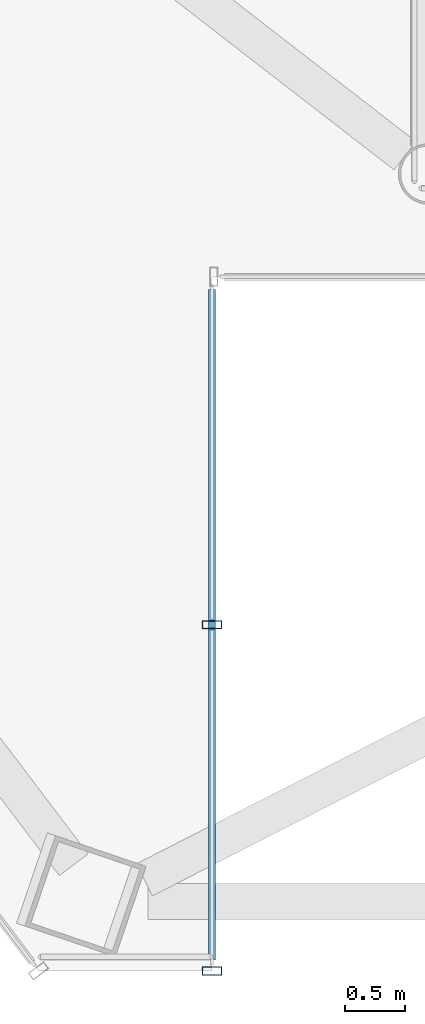
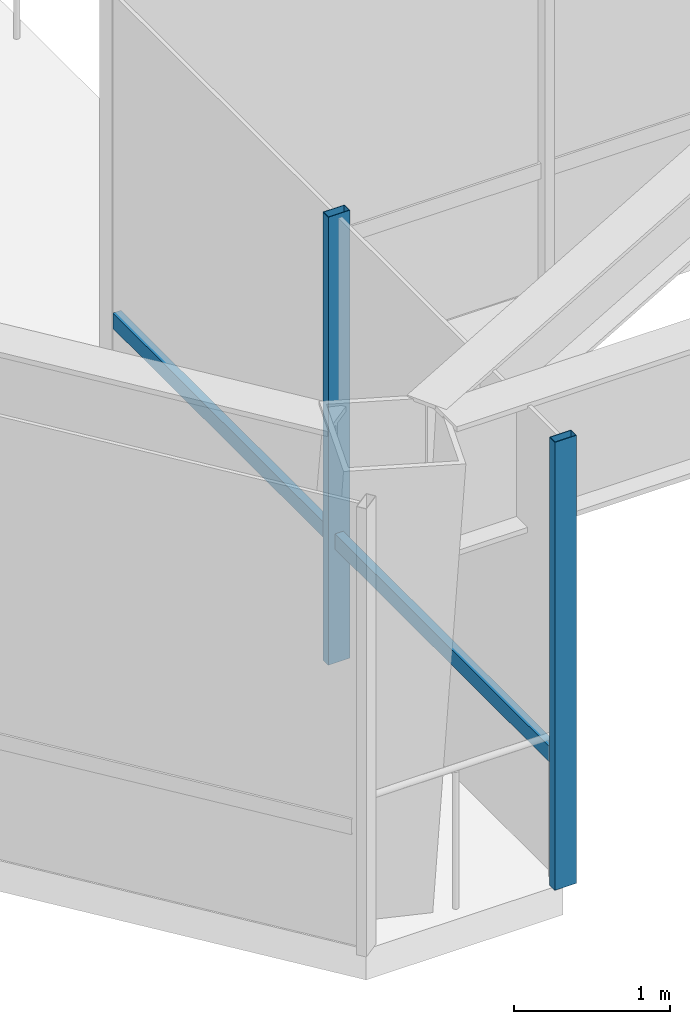
# One storey, part 6 of 30: 3 members, 1 element without a shape of its own.
"""IFC4 building model written with IfcOpenShell, lengths in metres."""

from ifc_helpers import new_model, si_unit, direction, frame, origin, origin_2d, place, context, subcontext, project, spatial, hollow_rectangle, extrude, material, layer, layer_set, material_profile, profile_set, type_object, element, aggregate, save


model = new_model("IFC4")

# Units and contexts
model_context = context("Model", 3, precision=1e-05, world=origin(), true_north=direction((0.0, 1.0)))
body_context = subcontext(model_context, "Body", "Model", "MODEL_VIEW")
ifc_project = project(units=[si_unit("LENGTHUNIT", "METRE"), si_unit("AREAUNIT", "SQUARE_METRE"), si_unit("VOLUMEUNIT", "CUBIC_METRE"), si_unit("PLANEANGLEUNIT", "RADIAN"), si_unit("MASSUNIT", "GRAM", prefix="KILO")], contexts=[model_context])

# Site, building, storey
site_placement = place(None, origin())
site = spatial("IfcSite", under=ifc_project, at=site_placement, CompositionType="ELEMENT")
building_placement = place(site_placement, origin())
building = spatial("IfcBuilding", under=site, at=building_placement, Name="Zarrinselat Tower", CompositionType="ELEMENT")
storey_placement = place(building_placement, frame((0.0, 0.0, 160.820068359375)))
storey = spatial("IfcBuildingStorey", under=building, at=storey_placement, Name="L39", CompositionType="ELEMENT", Elevation=160.820068359375)

# Curtain wall, members
ifc_material_1 = material(Name="Extruded Aluminium Alloy EN AW-6063 T6", Category="aluminium")
ifc_layer = layer(ifc_material_1, 0.18994140625)
ifc_layer_set = layer_set([ifc_layer], Name="Extruded Aluminium Alloy EN AW-6063 T6")
curtain_wall_type = type_object("IfcCurtainWallType", Name="CWS-SG", PredefinedType="NOTDEFINED", material=ifc_layer_set)
curtain_wall_placement = place(storey_placement, origin())
curtain_wall = element("IfcCurtainWall", 1, at=curtain_wall_placement, inside=storey, type_object=curtain_wall_type, Name="L39 Unitised Curtain Wall CW-L39-E41", PredefinedType="NOTDEFINED")
ifc_material_2 = material(Name="Extruded Aluminium Alloy EN AW-6063 T6", Category="aluminium")
ifc_material_profile_1 = material_profile(ifc_material_2, hollow_rectangle(XDim=0.070068359375, YDim=0.159912109375, WallThickness=0.00390625, at=origin_2d()), Name="RHS 160x70x4")
ifc_profile_set_1 = profile_set([ifc_material_profile_1], Name="Extruded Aluminium Alloy EN AW-6063 T6")
member_type_1 = type_object("IfcMemberType", Name="MEM-CW-MUL2", PredefinedType="MULLION", material=ifc_profile_set_1)
member_1_placement = place(storey_placement, frame((31.985107421875, 20.623291015625, 0.0), z_axis=(0.0, 0.0, 1.0), x_axis=(0.0, -1.0, 0.0)))
member_1 = element("IfcMember", 2, at=member_1_placement, type_object=member_type_1, Name="CW-L39-E41 Mullion 1", PredefinedType="MULLION", context=body_context, shape_type="SweptSolid", body=[
    extrude(hollow_rectangle(XDim=0.070068359375, YDim=0.159912109375, WallThickness=0.00390625, at=origin_2d()), origin(), (0.0, 0.0, 1.0), 3.5),
])
member_2_placement = place(storey_placement, frame((31.985107421875, 17.723388671875, 0.0), z_axis=(0.0, 0.0, 1.0), x_axis=(0.0, -1.0, 0.0)))
member_2 = element("IfcMember", 3, at=member_2_placement, type_object=member_type_1, Name="CW-L39-E41 Mullion 2", PredefinedType="MULLION", context=body_context, shape_type="SweptSolid", body=[
    extrude(hollow_rectangle(XDim=0.070068359375, YDim=0.159912109375, WallThickness=0.00390625, at=origin_2d()), origin(), (0.0, 0.0, 1.0), 3.5),
])
ifc_material_3 = material(Name="Extruded Aluminium Alloy EN AW-6063 T6", Category="aluminium")
ifc_material_profile_2 = material_profile(ifc_material_3, hollow_rectangle(XDim=0.06005859375, YDim=0.1201171875, WallThickness=0.00390625, at=origin_2d()), Name="RHS 120x60x4")
ifc_profile_set_2 = profile_set([ifc_material_profile_2], Name="Extruded Aluminium Alloy EN AW-6063 T6")
member_type_2 = type_object("IfcMemberType", Name="MEM-CW-TRN2", PredefinedType="USERDEFINED", material=ifc_profile_set_2)
member_3_placement = place(storey_placement, frame((31.985107421875, 23.433349609375, 0.949951171875), z_axis=(0.0, -1.0, 0.0), x_axis=(1.0, 0.0, 0.0)))
member_3 = element("IfcMember", 4, at=member_3_placement, type_object=member_type_2, Name="CW-L39-E41 Transom 1", ObjectType="TRANSOM", PredefinedType="USERDEFINED", context=body_context, shape_type="SweptSolid", body=[
    extrude(hollow_rectangle(XDim=0.06005859375, YDim=0.1201171875, WallThickness=0.00390625, at=origin_2d()), origin(), (0.0, 0.0, 1.0), 5.619873046875),
])
aggregate(curtain_wall, [member_1, member_2, member_3])

save(model, "model.ifc")
